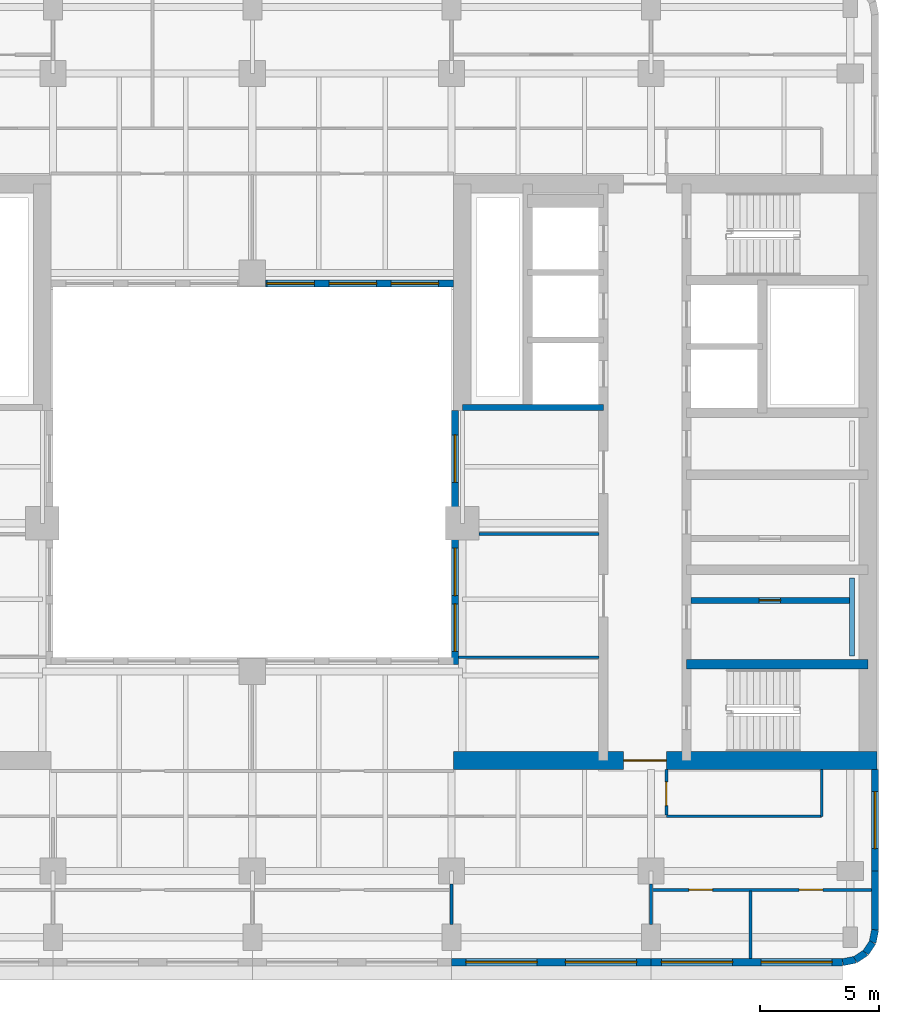
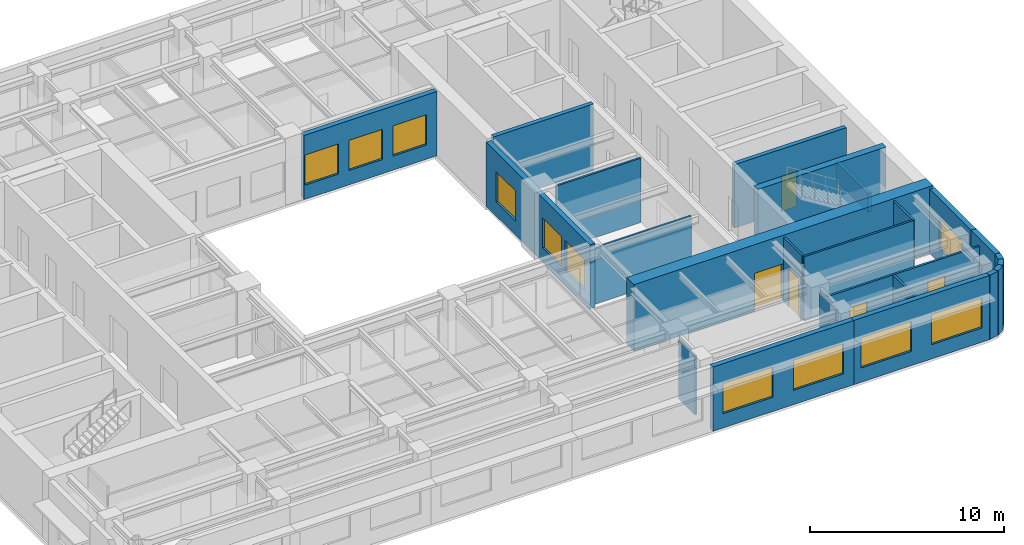
# One storey, part 5 of 11: 24 walls, 11 windows, 5 doors, 16 openings.
"""IFC4 building model written with IfcOpenShell, lengths in metres."""

from ifc_helpers import new_model, si_unit, direction, frame, frame_2d, origin, place, context, subcontext, project, spatial, rectangle, extrude, material, layer, layer_set, type_object, element, fill, save


model = new_model("IFC4")

# Units and contexts
model_context = context("Model", 3, precision=1e-05, world=origin(), true_north=direction((0.0, 1.0)))
body_context = subcontext(model_context, "Body", "Model", "MODEL_VIEW")
ifc_project = project(units=[si_unit("LENGTHUNIT", "METRE"), si_unit("AREAUNIT", "SQUARE_METRE"), si_unit("VOLUMEUNIT", "CUBIC_METRE"), si_unit("PLANEANGLEUNIT", "RADIAN"), si_unit("MASSUNIT", "GRAM", prefix="KILO")], contexts=[model_context])

# Site, building, storey
site_placement = place(None, origin())
site = spatial("IfcSite", under=ifc_project, at=site_placement, CompositionType="ELEMENT")
building_placement = place(site_placement, origin())
building = spatial("IfcBuilding", under=site, at=building_placement, Name="Claustro Exchange Tower", CompositionType="ELEMENT")
storey_placement = place(building_placement, frame((0.0, 0.0, 211.199951171875)))
storey = spatial("IfcBuildingStorey", under=building, at=storey_placement, Name="L48", CompositionType="ELEMENT", Elevation=211.199951171875)

# Walls
ifc_material_1 = material(Name="Laminated glass in aluminium frame", Category="aluminium")
ifc_layer_1 = layer(ifc_material_1, 0.1201171875)
ifc_layer_set_1 = layer_set([ifc_layer_1], Name="Laminated glass in aluminium frame")
wall_type_1 = type_object("IfcWallType", Name="P2 120 glazed partition", PredefinedType="PARTITIONING", material=ifc_layer_set_1)
wall_1_placement = place(storey_placement, frame((33.89794921875, 17.39990234375, 0.0), z_axis=(0.0, 0.0, 1.0), x_axis=(1.0, 0.0, 0.0)))
element("IfcWall", 1, at=wall_1_placement, inside=storey, type_object=wall_type_1, Name="Partition P2 L48", PredefinedType="PARTITIONING", context=body_context, shape_type="SweptSolid", body=[
    extrude(rectangle(XDim=5.904052734375, YDim=0.1201171875, at=frame_2d((2.9521484375, 0.0))), origin(), (0.0, 0.0, 1.0), 3.550048828125),
])
wall_2_placement = place(storey_placement, frame((34.7490234375, 22.60009765625, 0.0), z_axis=(0.0, 0.0, 1.0), x_axis=(1.0, 0.0, 0.0)))
element("IfcWall", 2, at=wall_2_placement, inside=storey, type_object=wall_type_1, Name="Partition P2 L48", PredefinedType="PARTITIONING", context=body_context, shape_type="SweptSolid", body=[
    extrude(rectangle(XDim=5.052978515625, YDim=0.1201171875, at=frame_2d((2.5263671875, 0.0))), origin(), (0.0, 0.0, 1.0), 4.050048828125),
])
wall_3_placement = place(storey_placement, frame((33.60009765625, 6.14892578125, 0.0), z_axis=(0.0, 0.0, 1.0), x_axis=(0.0, 1.0, 0.0)))
element("IfcWall", 3, at=wall_3_placement, inside=storey, type_object=wall_type_1, Name="Partition P2 L48", PredefinedType="PARTITIONING", context=body_context, shape_type="SweptSolid", body=[
    extrude(rectangle(XDim=1.703125, YDim=0.1201171875, at=frame_2d((0.8515625, 0.0))), origin(), (0.0, 0.0, 1.0), 3.68994140625),
])

# Wall, openings, doors
wall_4_placement = place(storey_placement, frame((42.0, 7.60009765625, 0.0), z_axis=(0.0, 0.0, 1.0), x_axis=(1.0, 0.0, 0.0)))
wall_4 = element("IfcWall", 4, at=wall_4_placement, inside=storey, type_object=wall_type_1, Name="Partition P2 L48", PredefinedType="PARTITIONING", context=body_context, shape_type="SweptSolid", body=[
    extrude(rectangle(XDim=9.302001953125, YDim=0.1201171875, at=frame_2d((4.65087890625, 0.0))), origin(), (0.0, 0.0, 1.0), 3.56005859375),
])
opening_1_placement = place(wall_4_placement, frame((1.60009765625, 0.0, 0.0)))
opening_1 = element("IfcOpeningElement", 5, at=opening_1_placement, cuts=wall_4, Name="Opening D7", PredefinedType="OPENING", context=body_context, shape_type="SweptSolid", body=[
    extrude(rectangle(XDim=1.0, YDim=2.39990234375, at=frame_2d((0.5, 1.199951171875))), frame((0.0, 0.070068359375, 0.0), z_axis=(0.0, -1.0, 0.0), x_axis=(1.0, 0.0, 0.0)), (0.0, 0.0, 1.0), 0.14013671875),
])
opening_2_placement = place(wall_4_placement, frame((6.25, 0.0, 0.0)))
opening_2 = element("IfcOpeningElement", 6, at=opening_2_placement, cuts=wall_4, Name="Opening D7", PredefinedType="OPENING", context=body_context, shape_type="SweptSolid", body=[
    extrude(rectangle(XDim=1.0, YDim=2.39990234375, at=frame_2d((0.5, 1.199951171875))), frame((0.0, 0.070068359375, 0.0), z_axis=(0.0, -1.0, 0.0), x_axis=(1.0, 0.0, 0.0)), (0.0, 0.0, 1.0), 0.14013671875),
])
ifc_material_2 = material(Name="Glass door in aluminium frame", Category="aluminium")
door_type_1 = type_object("IfcDoorType", Name="D7 1000 x 2400 glazed door", OperationType="SINGLE_SWING_LEFT", PredefinedType="DOOR", material=ifc_material_2)
door_1_placement = place(opening_1_placement, frame((1.0, 0.0, 0.0), z_axis=(0.0, 0.0, 1.0), x_axis=(-1.0, 0.0, 0.0)))
door_1 = element("IfcDoor", 7, at=door_1_placement, inside=storey, type_object=door_type_1, Name="Door D7 L48", OperationType="SINGLE_SWING_RIGHT", OverallHeight=2.39990234375, OverallWidth=1.0, PredefinedType="DOOR", context=body_context, shape_type="SweptSolid", body=[
    extrude(rectangle(XDim=1.0, YDim=2.39990234375, at=frame_2d((0.5, 1.199951171875))), frame((0.0, 0.02490234375, 0.0), z_axis=(0.0, -1.0, 0.0), x_axis=(1.0, 0.0, 0.0)), (0.0, 0.0, 1.0), 0.050048828125),
])
fill(opening_1, door_1)
door_2_placement = place(opening_2_placement, frame((1.0, 0.0, 0.0), z_axis=(0.0, 0.0, 1.0), x_axis=(-1.0, 0.0, 0.0)))
door_2 = element("IfcDoor", 8, at=door_2_placement, inside=storey, type_object=door_type_1, Name="Door D7 L48", OperationType="SINGLE_SWING_RIGHT", OverallHeight=2.39990234375, OverallWidth=1.0, PredefinedType="DOOR", context=body_context, shape_type="SweptSolid", body=[
    extrude(rectangle(XDim=1.0, YDim=2.39990234375, at=frame_2d((0.5, 1.199951171875))), frame((0.0, 0.02490234375, 0.0), z_axis=(0.0, -1.0, 0.0), x_axis=(1.0, 0.0, 0.0)), (0.0, 0.0, 1.0), 0.050048828125),
])
fill(opening_2, door_2)

# Walls
wall_5_placement = place(storey_placement, frame((42.0, 6.14892578125, 0.0), z_axis=(0.0, 0.0, 1.0), x_axis=(0.0, 1.0, 0.0)))
element("IfcWall", 9, at=wall_5_placement, inside=storey, type_object=wall_type_1, Name="Partition P2 L48", PredefinedType="PARTITIONING", context=body_context, shape_type="SweptSolid", body=[
    extrude(rectangle(XDim=1.703125, YDim=0.1201171875, at=frame_2d((0.8515625, 0.0))), origin(), (0.0, 0.0, 1.0), 3.68994140625),
])
wall_6_placement = place(storey_placement, frame((46.199951171875, 4.699951171875, 0.0), z_axis=(0.0, 0.0, 1.0), x_axis=(0.0, 1.0, 0.0)))
element("IfcWall", 10, at=wall_6_placement, inside=storey, type_object=wall_type_1, Name="Partition P2 L48", PredefinedType="PARTITIONING", context=body_context, shape_type="SweptSolid", body=[
    extrude(rectangle(XDim=2.842041015625, YDim=0.1201171875, at=frame_2d((1.4208984375, 0.0))), origin(), (0.0, 0.0, 1.0), 3.56005859375),
])

# Wall, opening, door
wall_7_placement = place(storey_placement, frame((42.64990234375, 10.758056640625, 0.0), z_axis=(0.0, 0.0, 1.0), x_axis=(0.0, 1.0, 0.0)))
wall_7 = element("IfcWall", 11, at=wall_7_placement, inside=storey, type_object=wall_type_1, Name="Partition P2 L48", PredefinedType="PARTITIONING", context=body_context, shape_type="SweptSolid", body=[
    extrude(rectangle(XDim=1.91796875, YDim=0.1201171875, at=frame_2d((0.958984375, 0.0))), origin(), (0.0, 0.0, 1.0), 4.050048828125),
])
opening_3_placement = place(wall_7_placement, frame((0.39208984375, 0.0, 0.0)))
opening_3 = element("IfcOpeningElement", 12, at=opening_3_placement, cuts=wall_7, Name="Opening D7", PredefinedType="OPENING", context=body_context, shape_type="SweptSolid", body=[
    extrude(rectangle(XDim=1.0, YDim=2.39990234375, at=frame_2d((0.5, 1.199951171875))), frame((0.0, 0.070068359375, 0.0), z_axis=(0.0, -1.0, 0.0), x_axis=(1.0, 0.0, 0.0)), (0.0, 0.0, 1.0), 0.14013671875),
])
door_3_placement = place(opening_3_placement, frame((1.0, 0.0, 0.0), z_axis=(0.0, 0.0, 1.0), x_axis=(-1.0, 0.0, 0.0)))
door_3 = element("IfcDoor", 13, at=door_3_placement, inside=storey, type_object=door_type_1, Name="Door D7 L48", OperationType="SINGLE_SWING_RIGHT", OverallHeight=2.39990234375, OverallWidth=1.0, PredefinedType="DOOR", context=body_context, shape_type="SweptSolid", body=[
    extrude(rectangle(XDim=1.0, YDim=2.39990234375, at=frame_2d((0.5, 1.199951171875))), frame((0.0, 0.02490234375, 0.0), z_axis=(0.0, -1.0, 0.0), x_axis=(1.0, 0.0, 0.0)), (0.0, 0.0, 1.0), 0.050048828125),
])
fill(opening_3, door_3)

# Walls
wall_8_placement = place(storey_placement, frame((42.64794921875, 10.699951171875, 0.0), z_axis=(0.0, 0.0, 1.0), x_axis=(1.0, 0.0, 0.0)))
element("IfcWall", 14, at=wall_8_placement, inside=storey, type_object=wall_type_1, Name="Partition P2 L48", PredefinedType="PARTITIONING", context=body_context, shape_type="SweptSolid", body=[
    extrude(rectangle(XDim=6.552001953125, YDim=0.1201171875, at=frame_2d((3.27587890625, 0.0))), origin(), (0.0, 0.0, 1.0), 4.050048828125),
])
wall_9_placement = place(storey_placement, frame((49.199951171875, 10.699951171875, 0.0), z_axis=(0.0, 0.0, 1.0), x_axis=(0.0, 1.0, 0.0)))
element("IfcWall", 15, at=wall_9_placement, inside=storey, type_object=wall_type_1, Name="Partition P2 L48", PredefinedType="PARTITIONING", context=body_context, shape_type="SweptSolid", body=[
    extrude(rectangle(XDim=1.97607421875, YDim=0.1201171875, at=frame_2d((0.988037109375, 0.0))), origin(), (0.0, 0.0, 1.0), 4.050048828125),
])

# Wall, opening, door
ifc_material_3 = material(Name="Concrete blockwork, rendered", Category="masonry")
ifc_layer_2 = layer(ifc_material_3, 0.25)
ifc_layer_set_2 = layer_set([ifc_layer_2], Name="Concrete blockwork, rendered")
wall_type_2 = type_object("IfcWallType", Name="P4 250 blockwork wall", PredefinedType="PARTITIONING", material=ifc_layer_set_2)
wall_10_placement = place(storey_placement, frame((43.699951171875, 19.800048828125, 0.0), z_axis=(0.0, 0.0, 1.0), x_axis=(1.0, 0.0, 0.0)))
wall_10 = element("IfcWall", 16, at=wall_10_placement, inside=storey, type_object=wall_type_2, Name="Partition P4 L48", PredefinedType="PARTITIONING", context=body_context, shape_type="SweptSolid", body=[
    extrude(rectangle(XDim=6.675048828125, YDim=0.25, at=frame_2d((3.33740234375, 0.0))), origin(), (0.0, 0.0, 1.0), 4.0),
])
opening_4_placement = place(wall_10_placement, frame((2.862548828125, 0.0, 0.0)))
opening_4 = element("IfcOpeningElement", 17, at=opening_4_placement, cuts=wall_10, Name="Opening D5", PredefinedType="OPENING", context=body_context, shape_type="SweptSolid", body=[
    extrude(rectangle(XDim=0.89990234375, YDim=2.199951171875, at=frame_2d((0.449951171875, 1.10009765625))), frame((0.0, 0.135009765625, 0.0), z_axis=(0.0, -1.0, 0.0), x_axis=(1.0, 0.0, 0.0)), (0.0, 0.0, 1.0), 0.27001953125),
])
ifc_material_4 = material(Name="Steel door, painted", Category="steel")
door_type_2 = type_object("IfcDoorType", Name="D5 900 x 2200 store door", OperationType="SINGLE_SWING_LEFT", PredefinedType="DOOR", material=ifc_material_4)
door_4_placement = place(opening_4_placement, origin())
door_4 = element("IfcDoor", 18, at=door_4_placement, inside=storey, type_object=door_type_2, Name="Store door D5 L48", OperationType="SINGLE_SWING_LEFT", OverallHeight=2.199951171875, OverallWidth=0.89990234375, PredefinedType="DOOR", context=body_context, shape_type="SweptSolid", body=[
    extrude(rectangle(XDim=0.89990234375, YDim=2.199951171875, at=frame_2d((0.449951171875, 1.10009765625))), frame((0.0, 0.02490234375, 0.0), z_axis=(0.0, -1.0, 0.0), x_axis=(1.0, 0.0, 0.0)), (0.0, 0.0, 1.0), 0.050048828125),
])
fill(opening_4, door_4)

# Wall, openings, windows
ifc_material_5 = material(Name="Concrete HA-40 (C40/50), precast, white cement, acid-etched", Category="concrete")
ifc_layer_3 = layer(ifc_material_5, 0.300048828125)
ifc_layer_set_3 = layer_set([ifc_layer_3], Name="Concrete HA-40 (C40/50), precast, white cement, acid-etched")
wall_type_3 = type_object("IfcWallType", Name="PC1 300 precast concrete pier panel", PredefinedType="SOLIDWALL", material=ifc_layer_set_3)
wall_11_placement = place(storey_placement, frame((50.085205078125, 4.550048828125, 0.0), z_axis=(0.0, 0.0, 1.0), x_axis=(-1.0, 0.0, 0.0)))
wall_11 = element("IfcWall", 19, at=wall_11_placement, inside=storey, type_object=wall_type_3, Name="Precast pier panel PC1 L48", PredefinedType="SOLIDWALL", context=body_context, shape_type="SweptSolid", body=[
    extrude(rectangle(XDim=8.085205078125, YDim=0.300048828125, at=frame_2d((4.04248046875, 0.0))), origin(), (0.0, 0.0, 1.0), 4.050048828125),
])
opening_5_placement = place(wall_11_placement, frame((0.442626953125, 0.0, 0.89990234375)))
opening_5 = element("IfcOpeningElement", 20, at=opening_5_placement, cuts=wall_11, Name="Opening W1", PredefinedType="OPENING", context=body_context, shape_type="SweptSolid", body=[
    extrude(rectangle(XDim=3.0, YDim=1.89990234375, at=frame_2d((1.5, 0.949951171875))), frame((0.0, 0.159912109375, 0.0), z_axis=(0.0, -1.0, 0.0), x_axis=(1.0, 0.0, 0.0)), (0.0, 0.0, 1.0), 0.320068359375),
])
opening_6_placement = place(wall_11_placement, frame((4.642578125, 0.0, 0.89990234375)))
opening_6 = element("IfcOpeningElement", 21, at=opening_6_placement, cuts=wall_11, Name="Opening W1", PredefinedType="OPENING", context=body_context, shape_type="SweptSolid", body=[
    extrude(rectangle(XDim=3.0, YDim=1.89990234375, at=frame_2d((1.5, 0.949951171875))), frame((0.0, 0.159912109375, 0.0), z_axis=(0.0, -1.0, 0.0), x_axis=(1.0, 0.0, 0.0)), (0.0, 0.0, 1.0), 0.320068359375),
])
ifc_material_6 = material(Name="Aluminium frame, clear double glazing", Category="aluminium")
window_type_1 = type_object("IfcWindowType", Name="W1 3000 x 1900 window", PartitioningType="SINGLE_PANEL", PredefinedType="WINDOW", material=ifc_material_6)
window_1_placement = place(opening_5_placement, origin())
window_1 = element("IfcWindow", 22, at=window_1_placement, inside=storey, type_object=window_type_1, Name="Window W1 L48", OverallHeight=1.89990234375, OverallWidth=3.0, PartitioningType="SINGLE_PANEL", PredefinedType="WINDOW", context=body_context, shape_type="SweptSolid", body=[
    extrude(rectangle(XDim=3.0, YDim=1.89990234375, at=frame_2d((1.5, 0.949951171875))), frame((0.0, 0.030029296875, 0.0), z_axis=(0.0, -1.0, 0.0), x_axis=(1.0, 0.0, 0.0)), (0.0, 0.0, 1.0), 0.06005859375),
])
fill(opening_5, window_1)
window_2_placement = place(opening_6_placement, origin())
window_2 = element("IfcWindow", 23, at=window_2_placement, inside=storey, type_object=window_type_1, Name="Window W1 L48", OverallHeight=1.89990234375, OverallWidth=3.0, PartitioningType="SINGLE_PANEL", PredefinedType="WINDOW", context=body_context, shape_type="SweptSolid", body=[
    extrude(rectangle(XDim=3.0, YDim=1.89990234375, at=frame_2d((1.5, 0.949951171875))), frame((0.0, 0.030029296875, 0.0), z_axis=(0.0, -1.0, 0.0), x_axis=(1.0, 0.0, 0.0)), (0.0, 0.0, 1.0), 0.06005859375),
])
fill(opening_6, window_2)

wall_12_placement = place(storey_placement, frame((42.0, 4.550048828125, 0.0), z_axis=(0.0, 0.0, 1.0), x_axis=(-1.0, 0.0, 0.0)))
wall_12 = element("IfcWall", 24, at=wall_12_placement, inside=storey, type_object=wall_type_3, Name="Precast pier panel PC1 L48", PredefinedType="SOLIDWALL", context=body_context, shape_type="SweptSolid", body=[
    extrude(rectangle(XDim=8.39990234375, YDim=0.300048828125, at=frame_2d((4.199951171875, 0.0))), origin(), (0.0, 0.0, 1.0), 4.050048828125),
])
opening_7_placement = place(wall_12_placement, frame((0.60009765625, 0.0, 0.89990234375)))
opening_7 = element("IfcOpeningElement", 25, at=opening_7_placement, cuts=wall_12, Name="Opening W1", PredefinedType="OPENING", context=body_context, shape_type="SweptSolid", body=[
    extrude(rectangle(XDim=3.0, YDim=1.89990234375, at=frame_2d((1.5, 0.949951171875))), frame((0.0, 0.159912109375, 0.0), z_axis=(0.0, -1.0, 0.0), x_axis=(1.0, 0.0, 0.0)), (0.0, 0.0, 1.0), 0.320068359375),
])
opening_8_placement = place(wall_12_placement, frame((4.800048828125, 0.0, 0.89990234375)))
opening_8 = element("IfcOpeningElement", 26, at=opening_8_placement, cuts=wall_12, Name="Opening W1", PredefinedType="OPENING", context=body_context, shape_type="SweptSolid", body=[
    extrude(rectangle(XDim=3.0, YDim=1.89990234375, at=frame_2d((1.5, 0.949951171875))), frame((0.0, 0.159912109375, 0.0), z_axis=(0.0, -1.0, 0.0), x_axis=(1.0, 0.0, 0.0)), (0.0, 0.0, 1.0), 0.320068359375),
])
window_3_placement = place(opening_7_placement, origin())
window_3 = element("IfcWindow", 27, at=window_3_placement, inside=storey, type_object=window_type_1, Name="Window W1 L48", OverallHeight=1.89990234375, OverallWidth=3.0, PartitioningType="SINGLE_PANEL", PredefinedType="WINDOW", context=body_context, shape_type="SweptSolid", body=[
    extrude(rectangle(XDim=3.0, YDim=1.89990234375, at=frame_2d((1.5, 0.949951171875))), frame((0.0, 0.030029296875, 0.0), z_axis=(0.0, -1.0, 0.0), x_axis=(1.0, 0.0, 0.0)), (0.0, 0.0, 1.0), 0.06005859375),
])
fill(opening_7, window_3)
window_4_placement = place(opening_8_placement, origin())
window_4 = element("IfcWindow", 28, at=window_4_placement, inside=storey, type_object=window_type_1, Name="Window W1 L48", OverallHeight=1.89990234375, OverallWidth=3.0, PartitioningType="SINGLE_PANEL", PredefinedType="WINDOW", context=body_context, shape_type="SweptSolid", body=[
    extrude(rectangle(XDim=3.0, YDim=1.89990234375, at=frame_2d((1.5, 0.949951171875))), frame((0.0, 0.030029296875, 0.0), z_axis=(0.0, -1.0, 0.0), x_axis=(1.0, 0.0, 0.0)), (0.0, 0.0, 1.0), 0.06005859375),
])
fill(opening_8, window_4)

# Wall, opening, window
wall_13_placement = place(storey_placement, frame((51.449951171875, 12.675048828125, 0.0), z_axis=(0.0, 0.0, 1.0), x_axis=(0.0, -1.0, 0.0)))
wall_13 = element("IfcWall", 29, at=wall_13_placement, inside=storey, type_object=wall_type_3, Name="Precast pier panel PC1 L48", PredefinedType="SOLIDWALL", context=body_context, shape_type="SweptSolid", body=[
    extrude(rectangle(XDim=4.275146484375, YDim=0.300048828125, at=frame_2d((2.1376953125, 0.0))), origin(), (0.0, 0.0, 1.0), 4.050048828125),
])
opening_9_placement = place(wall_13_placement, frame((0.9375, 0.0, 0.89990234375)))
opening_9 = element("IfcOpeningElement", 30, at=opening_9_placement, cuts=wall_13, Name="Opening W2", PredefinedType="OPENING", context=body_context, shape_type="SweptSolid", body=[
    extrude(rectangle(XDim=2.39990234375, YDim=1.89990234375, at=frame_2d((1.199951171875, 0.949951171875))), frame((0.0, 0.159912109375, 0.0), z_axis=(0.0, -1.0, 0.0), x_axis=(1.0, 0.0, 0.0)), (0.0, 0.0, 1.0), 0.320068359375),
])
ifc_material_7 = material(Name="Aluminium frame, clear double glazing", Category="aluminium")
window_type_2 = type_object("IfcWindowType", Name="W2 2400 x 1900 window", PartitioningType="SINGLE_PANEL", PredefinedType="WINDOW", material=ifc_material_7)
window_5_placement = place(opening_9_placement, origin())
window_5 = element("IfcWindow", 31, at=window_5_placement, inside=storey, type_object=window_type_2, Name="Window W2 L48", OverallHeight=1.89990234375, OverallWidth=2.39990234375, PartitioningType="SINGLE_PANEL", PredefinedType="WINDOW", context=body_context, shape_type="SweptSolid", body=[
    extrude(rectangle(XDim=2.39990234375, YDim=1.89990234375, at=frame_2d((1.199951171875, 0.949951171875))), frame((0.0, 0.030029296875, 0.0), z_axis=(0.0, -1.0, 0.0), x_axis=(1.0, 0.0, 0.0)), (0.0, 0.0, 1.0), 0.06005859375),
])
fill(opening_9, window_5)

# Walls
wall_14_placement = place(storey_placement, frame((51.449951171875, 8.39990234375, 0.0), z_axis=(0.0, 0.0, 1.0), x_axis=(0.0, -1.0, 0.0)))
element("IfcWall", 32, at=wall_14_placement, inside=storey, type_object=wall_type_3, Name="Precast pier panel PC1 L48", PredefinedType="SOLIDWALL", context=body_context, shape_type="SweptSolid", body=[
    extrude(rectangle(XDim=2.485107421875, YDim=0.300048828125, at=frame_2d((1.24267578125, 0.0))), origin(), (0.0, 0.0, 1.0), 4.050048828125),
])
wall_15_placement = place(storey_placement, frame((51.449951171875, 5.914794921875, 0.0), z_axis=(0.0, 0.0, 1.0), x_axis=(-0.195073962632, -0.980788534345, 0.0)))
element("IfcWall", 33, at=wall_15_placement, inside=storey, type_object=wall_type_3, Name="Precast pier panel PC1 L48", PredefinedType="SOLIDWALL", context=body_context, shape_type="SweptSolid", body=[
    extrude(rectangle(XDim=0.540771484375, YDim=0.300048828125, at=frame_2d((0.2705078125, 0.0))), origin(), (0.0, 0.0, 1.0), 4.050048828125),
])
for number, where, z_axis, x_axis, name in (
    (34, (51.344482421875, 5.384521484375, 0.0), (0.0, 0.0, 1.0), (-0.555557463938, -0.831478144188, 0.0), "Precast pier panel PC1 L48"),
    (35, (51.052490234375, 4.947509765625, 0.0), (0.0, 0.0, 1.0), (-0.831478144188, -0.555557463938, 0.0), "Precast pier panel PC1 L48"),
):
    element("IfcWall", number, at=place(storey_placement, frame(where, z_axis=z_axis, x_axis=x_axis)), inside=storey, type_object=wall_type_3, Name=name, PredefinedType="SOLIDWALL", context=body_context, shape_type="SweptSolid", body=[
        extrude(rectangle(XDim=0.525634765625, YDim=0.300048828125, at=frame_2d((0.2626953125, 0.0))), origin(), (0.0, 0.0, 1.0), 4.050048828125),
    ])
wall_16_placement = place(storey_placement, frame((50.615478515625, 4.655517578125, 0.0), z_axis=(0.0, 0.0, 1.0), x_axis=(-0.980788534345, -0.195073962632, 0.0)))
element("IfcWall", 36, at=wall_16_placement, inside=storey, type_object=wall_type_3, Name="Precast pier panel PC1 L48", PredefinedType="SOLIDWALL", context=body_context, shape_type="SweptSolid", body=[
    extrude(rectangle(XDim=0.540771484375, YDim=0.300048828125, at=frame_2d((0.2705078125, 0.0))), origin(), (0.0, 0.0, 1.0), 4.050048828125),
])

# Wall, openings, windows
wall_17_placement = place(storey_placement, frame((33.75, 17.10009765625, 0.0), z_axis=(0.0, 0.0, 1.0), x_axis=(0.0, 1.0, 0.0)))
wall_17 = element("IfcWall", 37, at=wall_17_placement, inside=storey, type_object=wall_type_3, Name="Precast pier panel PC1 L48", PredefinedType="SOLIDWALL", context=body_context, shape_type="SweptSolid", body=[
    extrude(rectangle(XDim=10.699951171875, YDim=0.300048828125, at=frame_2d((5.35009765625, 0.0))), origin(), (0.0, 0.0, 1.0), 4.050048828125),
])
opening_10_placement = place(wall_17_placement, frame((0.550048828125, 0.0, 0.89990234375)))
opening_10 = element("IfcOpeningElement", 38, at=opening_10_placement, cuts=wall_17, Name="Opening W4", PredefinedType="OPENING", context=body_context, shape_type="SweptSolid", body=[
    extrude(rectangle(XDim=2.0, YDim=1.89990234375, at=frame_2d((1.0, 0.949951171875))), frame((0.0, 0.159912109375, 0.0), z_axis=(0.0, -1.0, 0.0), x_axis=(1.0, 0.0, 0.0)), (0.0, 0.0, 1.0), 0.320068359375),
])
opening_11_placement = place(wall_17_placement, frame((2.89990234375, 0.0, 0.89990234375)))
opening_11 = element("IfcOpeningElement", 39, at=opening_11_placement, cuts=wall_17, Name="Opening W4", PredefinedType="OPENING", context=body_context, shape_type="SweptSolid", body=[
    extrude(rectangle(XDim=2.0, YDim=1.89990234375, at=frame_2d((1.0, 0.949951171875))), frame((0.0, 0.159912109375, 0.0), z_axis=(0.0, -1.0, 0.0), x_axis=(1.0, 0.0, 0.0)), (0.0, 0.0, 1.0), 0.320068359375),
])
opening_12_placement = place(wall_17_placement, frame((7.675048828125, 0.0, 0.89990234375)))
opening_12 = element("IfcOpeningElement", 40, at=opening_12_placement, cuts=wall_17, Name="Opening W4", PredefinedType="OPENING", context=body_context, shape_type="SweptSolid", body=[
    extrude(rectangle(XDim=2.0, YDim=1.89990234375, at=frame_2d((1.0, 0.949951171875))), frame((0.0, 0.159912109375, 0.0), z_axis=(0.0, -1.0, 0.0), x_axis=(1.0, 0.0, 0.0)), (0.0, 0.0, 1.0), 0.320068359375),
])
ifc_material_8 = material(Name="Aluminium frame, clear double glazing", Category="aluminium")
window_type_3 = type_object("IfcWindowType", Name="W4 2000 x 1900 light well window", PartitioningType="SINGLE_PANEL", PredefinedType="WINDOW", material=ifc_material_8)
window_6_placement = place(opening_10_placement, origin())
window_6 = element("IfcWindow", 41, at=window_6_placement, inside=storey, type_object=window_type_3, Name="Window W4 L48", OverallHeight=1.89990234375, OverallWidth=2.0, PartitioningType="SINGLE_PANEL", PredefinedType="WINDOW", context=body_context, shape_type="SweptSolid", body=[
    extrude(rectangle(XDim=2.0, YDim=1.89990234375, at=frame_2d((1.0, 0.949951171875))), frame((0.0, 0.030029296875, 0.0), z_axis=(0.0, -1.0, 0.0), x_axis=(1.0, 0.0, 0.0)), (0.0, 0.0, 1.0), 0.06005859375),
])
fill(opening_10, window_6)
window_7_placement = place(opening_11_placement, origin())
window_7 = element("IfcWindow", 42, at=window_7_placement, inside=storey, type_object=window_type_3, Name="Window W4 L48", OverallHeight=1.89990234375, OverallWidth=2.0, PartitioningType="SINGLE_PANEL", PredefinedType="WINDOW", context=body_context, shape_type="SweptSolid", body=[
    extrude(rectangle(XDim=2.0, YDim=1.89990234375, at=frame_2d((1.0, 0.949951171875))), frame((0.0, 0.030029296875, 0.0), z_axis=(0.0, -1.0, 0.0), x_axis=(1.0, 0.0, 0.0)), (0.0, 0.0, 1.0), 0.06005859375),
])
fill(opening_11, window_7)
window_8_placement = place(opening_12_placement, origin())
window_8 = element("IfcWindow", 43, at=window_8_placement, inside=storey, type_object=window_type_3, Name="Window W4 L48", OverallHeight=1.89990234375, OverallWidth=2.0, PartitioningType="SINGLE_PANEL", PredefinedType="WINDOW", context=body_context, shape_type="SweptSolid", body=[
    extrude(rectangle(XDim=2.0, YDim=1.89990234375, at=frame_2d((1.0, 0.949951171875))), frame((0.0, 0.030029296875, 0.0), z_axis=(0.0, -1.0, 0.0), x_axis=(1.0, 0.0, 0.0)), (0.0, 0.0, 1.0), 0.06005859375),
])
fill(opening_12, window_8)

wall_18_placement = place(storey_placement, frame((25.75, 33.14990234375, 0.0), z_axis=(0.0, 0.0, 1.0), x_axis=(1.0, 0.0, 0.0)))
wall_18 = element("IfcWall", 44, at=wall_18_placement, inside=storey, type_object=wall_type_3, Name="Precast pier panel PC1 L48", PredefinedType="SOLIDWALL", context=body_context, shape_type="SweptSolid", body=[
    extrude(rectangle(XDim=7.925048828125, YDim=0.300048828125, at=frame_2d((3.96240234375, 0.0))), origin(), (0.0, 0.0, 1.0), 4.050048828125),
])
opening_13_placement = place(wall_18_placement, frame((0.068603515625, 0.0, 0.89990234375)))
opening_13 = element("IfcOpeningElement", 45, at=opening_13_placement, cuts=wall_18, Name="Opening W4", PredefinedType="OPENING", context=body_context, shape_type="SweptSolid", body=[
    extrude(rectangle(XDim=2.0, YDim=1.89990234375, at=frame_2d((1.0, 0.949951171875))), frame((0.0, 0.159912109375, 0.0), z_axis=(0.0, -1.0, 0.0), x_axis=(1.0, 0.0, 0.0)), (0.0, 0.0, 1.0), 0.320068359375),
])
opening_14_placement = place(wall_18_placement, frame((2.6875, 0.0, 0.89990234375)))
opening_14 = element("IfcOpeningElement", 46, at=opening_14_placement, cuts=wall_18, Name="Opening W4", PredefinedType="OPENING", context=body_context, shape_type="SweptSolid", body=[
    extrude(rectangle(XDim=2.0, YDim=1.89990234375, at=frame_2d((1.0, 0.949951171875))), frame((0.0, 0.159912109375, 0.0), z_axis=(0.0, -1.0, 0.0), x_axis=(1.0, 0.0, 0.0)), (0.0, 0.0, 1.0), 0.320068359375),
])
opening_15_placement = place(wall_18_placement, frame((5.30615234375, 0.0, 0.89990234375)))
opening_15 = element("IfcOpeningElement", 47, at=opening_15_placement, cuts=wall_18, Name="Opening W4", PredefinedType="OPENING", context=body_context, shape_type="SweptSolid", body=[
    extrude(rectangle(XDim=2.0, YDim=1.89990234375, at=frame_2d((1.0, 0.949951171875))), frame((0.0, 0.159912109375, 0.0), z_axis=(0.0, -1.0, 0.0), x_axis=(1.0, 0.0, 0.0)), (0.0, 0.0, 1.0), 0.320068359375),
])
window_9_placement = place(opening_13_placement, origin())
window_9 = element("IfcWindow", 48, at=window_9_placement, inside=storey, type_object=window_type_3, Name="Window W4 L48", OverallHeight=1.89990234375, OverallWidth=2.0, PartitioningType="SINGLE_PANEL", PredefinedType="WINDOW", context=body_context, shape_type="SweptSolid", body=[
    extrude(rectangle(XDim=2.0, YDim=1.89990234375, at=frame_2d((1.0, 0.949951171875))), frame((0.0, 0.030029296875, 0.0), z_axis=(0.0, -1.0, 0.0), x_axis=(1.0, 0.0, 0.0)), (0.0, 0.0, 1.0), 0.06005859375),
])
fill(opening_13, window_9)
window_10_placement = place(opening_14_placement, origin())
window_10 = element("IfcWindow", 49, at=window_10_placement, inside=storey, type_object=window_type_3, Name="Window W4 L48", OverallHeight=1.89990234375, OverallWidth=2.0, PartitioningType="SINGLE_PANEL", PredefinedType="WINDOW", context=body_context, shape_type="SweptSolid", body=[
    extrude(rectangle(XDim=2.0, YDim=1.89990234375, at=frame_2d((1.0, 0.949951171875))), frame((0.0, 0.030029296875, 0.0), z_axis=(0.0, -1.0, 0.0), x_axis=(1.0, 0.0, 0.0)), (0.0, 0.0, 1.0), 0.06005859375),
])
fill(opening_14, window_10)
window_11_placement = place(opening_15_placement, origin())
window_11 = element("IfcWindow", 50, at=window_11_placement, inside=storey, type_object=window_type_3, Name="Window W4 L48", OverallHeight=1.89990234375, OverallWidth=2.0, PartitioningType="SINGLE_PANEL", PredefinedType="WINDOW", context=body_context, shape_type="SweptSolid", body=[
    extrude(rectangle(XDim=2.0, YDim=1.89990234375, at=frame_2d((1.0, 0.949951171875))), frame((0.0, 0.030029296875, 0.0), z_axis=(0.0, -1.0, 0.0), x_axis=(1.0, 0.0, 0.0)), (0.0, 0.0, 1.0), 0.06005859375),
])
fill(opening_15, window_11)

# Wall
ifc_material_9 = material(Name="Gypsum board on steel studs, tiled", Category="steel")
ifc_layer_4 = layer(ifc_material_9, 0.199951171875)
ifc_layer_set_4 = layer_set([ifc_layer_4], Name="Gypsum board on steel studs, tiled")
wall_type_4 = type_object("IfcWallType", Name="PW1 200 WC duct wall", PredefinedType="PLUMBINGWALL", material=ifc_layer_set_4)
wall_19_placement = place(storey_placement, frame((50.47509765625, 17.449951171875, 0.0), z_axis=(0.0, 0.0, 1.0), x_axis=(0.0, 1.0, 0.0)))
element("IfcWall", 51, at=wall_19_placement, inside=storey, type_object=wall_type_4, Name="WC duct wall PW1 L48", PredefinedType="PLUMBINGWALL", context=body_context, shape_type="SweptSolid", body=[
    extrude(rectangle(XDim=3.300048828125, YDim=0.199951171875, at=frame_2d((1.64990234375, 0.0))), origin(), (0.0, 0.0, 1.0), 1.199951171875),
])

# Wall, opening, door
ifc_material_10 = material(Name="Concrete HA-70 (C70/85)", Category="concrete")
ifc_layer_5 = layer(ifc_material_10, 0.75)
ifc_layer_set_5 = layer_set([ifc_layer_5], Name="Concrete HA-70 (C70/85)")
wall_type_5 = type_object("IfcWallType", Name="SW2 750 core shear wall", PredefinedType="SHEAR", material=ifc_layer_set_5)
wall_20_placement = place(storey_placement, frame((33.675048828125, 13.050048828125, 0.0), z_axis=(0.0, 0.0, 1.0), x_axis=(1.0, 0.0, 0.0)))
wall_20 = element("IfcWall", 52, at=wall_20_placement, inside=storey, type_object=wall_type_5, Name="Core wall SW2 E core S face L48", PredefinedType="SHEAR", context=body_context, shape_type="SweptSolid", body=[
    extrude(rectangle(XDim=17.849853515625, YDim=0.75, at=frame_2d((8.9248046875, 0.0))), origin(), (0.0, 0.0, 1.0), 4.199951171875),
])
opening_16_placement = place(wall_20_placement, frame((7.175048828125, 0.0, 0.0)))
opening_16 = element("IfcOpeningElement", 53, at=opening_16_placement, cuts=wall_20, Name="Opening D3", PredefinedType="OPENING", context=body_context, shape_type="SweptSolid", body=[
    extrude(rectangle(XDim=1.800048828125, YDim=2.39990234375, at=frame_2d((0.89990234375, 1.199951171875))), frame((0.0, 0.385009765625, 0.0), z_axis=(0.0, -1.0, 0.0), x_axis=(1.0, 0.0, 0.0)), (0.0, 0.0, 1.0), 0.77001953125),
])
ifc_material_11 = material(Name="Steel fire door, painted", Category="steel")
door_type_3 = type_object("IfcDoorType", Name="D3 1800 x 2400 fire-rated lobby double door", OperationType="DOUBLE_DOOR_SINGLE_SWING", PredefinedType="DOOR", material=ifc_material_11)
door_5_placement = place(opening_16_placement, origin())
door_5 = element("IfcDoor", 54, at=door_5_placement, inside=storey, type_object=door_type_3, Name="Lift lobby door D3 L48", OperationType="DOUBLE_DOOR_SINGLE_SWING", OverallHeight=2.39990234375, OverallWidth=1.800048828125, PredefinedType="DOOR", context=body_context, shape_type="SweptSolid", body=[
    extrude(rectangle(XDim=1.800048828125, YDim=2.39990234375, at=frame_2d((0.89990234375, 1.199951171875))), frame((0.0, 0.02490234375, 0.0), z_axis=(0.0, -1.0, 0.0), x_axis=(1.0, 0.0, 0.0)), (0.0, 0.0, 1.0), 0.050048828125),
])
fill(opening_16, door_5)

# Walls
ifc_material_12 = material(Name="Concrete HA-50 (C50/60)", Category="concrete")
ifc_layer_6 = layer(ifc_material_12, 0.39990234375)
ifc_layer_set_6 = layer_set([ifc_layer_6], Name="Concrete HA-50 (C50/60)")
wall_type_6 = type_object("IfcWallType", Name="SW4 400 internal core wall", PredefinedType="SHEAR", material=ifc_layer_set_6)
wall_21_placement = place(storey_placement, frame((51.14990234375, 17.10009765625, 0.0), z_axis=(0.0, 0.0, 1.0), x_axis=(-1.0, 0.0, 0.0)))
element("IfcWall", 55, at=wall_21_placement, inside=storey, type_object=wall_type_6, Name="Internal core wall SW4 E core L48", PredefinedType="SHEAR", context=body_context, shape_type="SweptSolid", body=[
    extrude(rectangle(XDim=7.64990234375, YDim=0.39990234375, at=frame_2d((3.824951171875, 0.0))), origin(), (0.0, 0.0, 1.0), 4.199951171875),
])
ifc_material_13 = material(Name="Concrete HA-50 (C50/60)", Category="concrete")
ifc_layer_7 = layer(ifc_material_13, 0.25)
ifc_layer_set_7 = layer_set([ifc_layer_7], Name="Concrete HA-50 (C50/60)")
wall_type_7 = type_object("IfcWallType", Name="SW5 250 lift shaft divider wall", PredefinedType="SHEAR", material=ifc_layer_set_7)
wall_22_placement = place(storey_placement, frame((40.0, 27.925048828125, 0.0), z_axis=(0.0, 0.0, 1.0), x_axis=(-1.0, 0.0, 0.0)))
element("IfcWall", 56, at=wall_22_placement, inside=storey, type_object=wall_type_7, Name="Core step wall E core L48", PredefinedType="SHEAR", context=body_context, shape_type="SweptSolid", body=[
    extrude(rectangle(XDim=5.949951171875, YDim=0.25, at=frame_2d((2.97509765625, 0.0))), origin(), (0.0, 0.0, 1.0), 4.199951171875),
])

save(model, "model.ifc")
